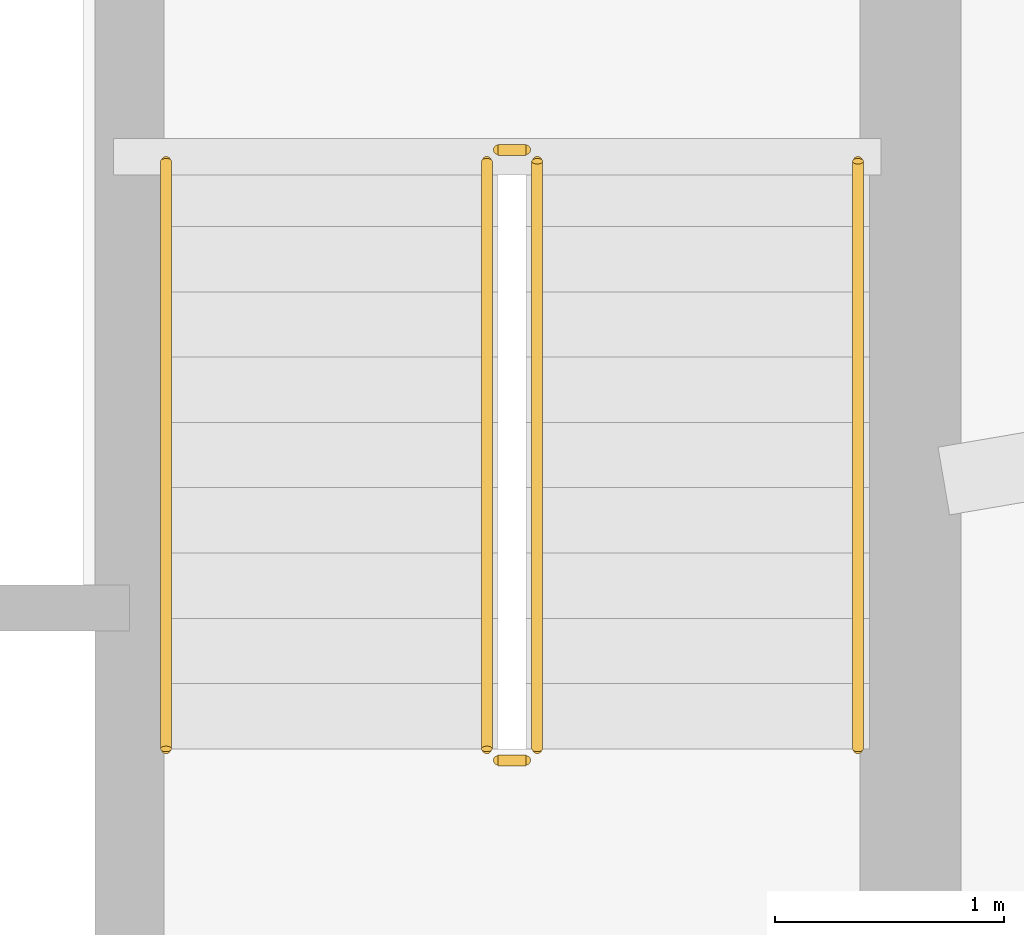
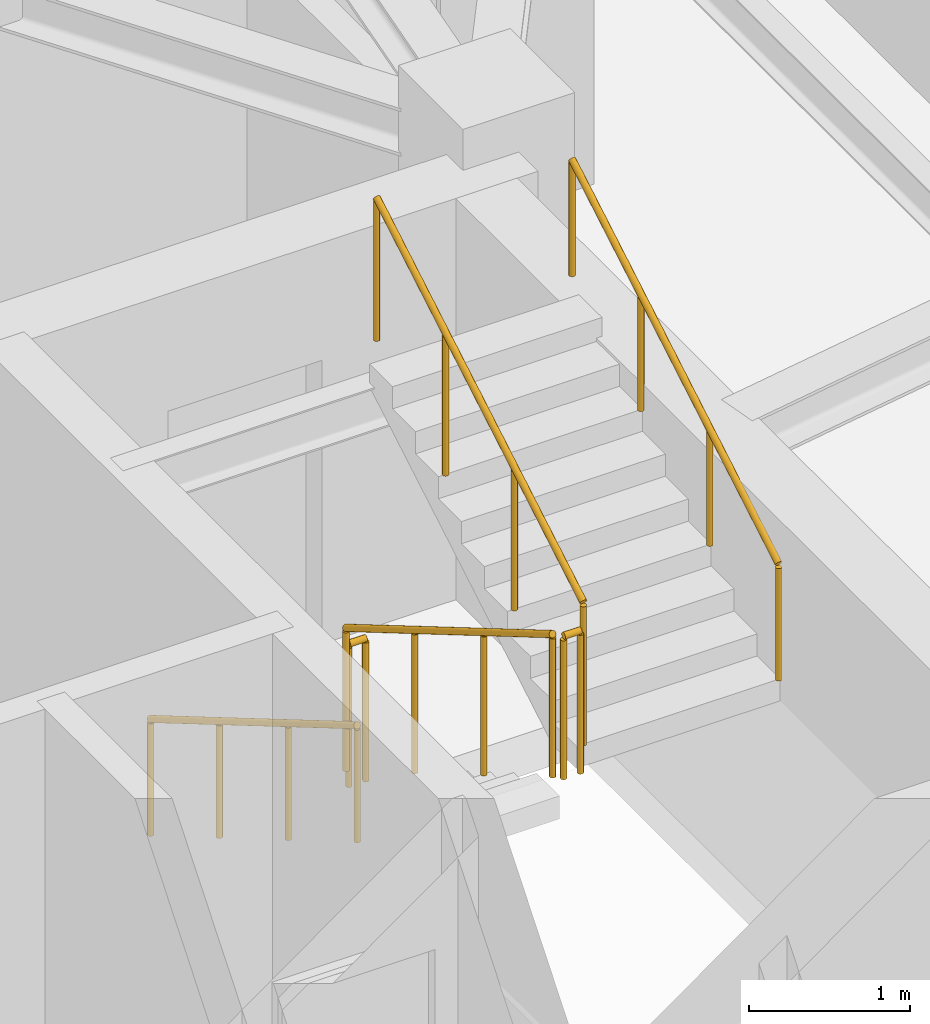
# One storey, part 11 of 11: 6 railings.
"""IFC4 building model written with IfcOpenShell, lengths in metres."""

from ifc_helpers import new_model, si_unit, direction, frame, origin, origin_2d, place, context, subcontext, project, spatial, circle, extrude, material, type_object, element, save


model = new_model("IFC4")

# Units and contexts
model_context = context("Model", 3, precision=1e-05, world=origin(), true_north=direction((0.0, 1.0)))
body_context = subcontext(model_context, "Body", "Model", "MODEL_VIEW")
ifc_project = project(units=[si_unit("LENGTHUNIT", "METRE"), si_unit("AREAUNIT", "SQUARE_METRE"), si_unit("VOLUMEUNIT", "CUBIC_METRE"), si_unit("PLANEANGLEUNIT", "RADIAN"), si_unit("MASSUNIT", "GRAM", prefix="KILO")], contexts=[model_context])

# Site, building, storey
site_placement = place(None, origin())
site = spatial("IfcSite", under=ifc_project, at=site_placement, CompositionType="ELEMENT")
building_placement = place(site_placement, origin())
building = spatial("IfcBuilding", under=site, at=building_placement, Name="Qobustan Lattice House", CompositionType="ELEMENT")
storey_placement = place(building_placement, frame((0.0, 0.0, 255.10009765625)))
storey = spatial("IfcBuildingStorey", under=building, at=storey_placement, Name="L72", CompositionType="ELEMENT", Elevation=255.10009765625)

# Railings
ifc_material_1 = material(Name="Brushed stainless steel handrail", Category="steel")
railing_type_1 = type_object("IfcRailingType", Name="RAL-HR-920", PredefinedType="HANDRAIL", material=ifc_material_1)
railing_1_placement = place(storey_placement, frame((15.179931640625, 3.5, 0.16748046875)))
element("IfcRailing", 1, at=railing_1_placement, inside=storey, type_object=railing_type_1, Name="L72 ST-E1 stair handrail 1", PredefinedType="HANDRAIL", context=body_context, shape_type="SweptSolid", body=[
    extrude(circle(Radius=0.02392578125, at=origin_2d()), frame((0.0, 0.0, 0.8759765625), z_axis=(0.0, -0.862149314443, 0.506654280161), x_axis=(1.0, 0.0, 0.0)), (0.0, 0.0, 1.0), 2.97509765625),
    extrude(circle(Radius=0.02099609375, at=origin_2d()), origin(), (0.0, 0.0, 1.0), 0.851806640625),
    extrude(circle(Radius=0.02099609375, at=origin_2d()), frame((0.0, -0.85498046875, 0.50244140625)), (0.0, 0.0, 1.0), 0.851806640625),
    extrude(circle(Radius=0.02099609375, at=origin_2d()), frame((0.0, -1.7099609375, 1.0048828125)), (0.0, 0.0, 1.0), 0.851806640625),
    extrude(circle(Radius=0.02099609375, at=origin_2d()), frame((0.0, -2.56494140625, 1.50732421875)), (0.0, 0.0, 1.0), 0.851806640625),
])
railing_2_placement = place(storey_placement, frame((18.199951171875, 0.93505859375, 1.84228515625)))
element("IfcRailing", 2, at=railing_2_placement, inside=storey, type_object=railing_type_1, Name="L72 ST-E1 stair handrail 2", PredefinedType="HANDRAIL", context=body_context, shape_type="SweptSolid", body=[
    extrude(circle(Radius=0.02392578125, at=origin_2d()), frame((0.0, 0.0, 0.8759765625), z_axis=(0.0, 0.862113467892, 0.50671527358), x_axis=(-1.0, 0.0, 0.0)), (0.0, 0.0, 1.0), 2.97509765625),
    extrude(circle(Radius=0.02099609375, at=origin_2d()), origin(), (0.0, 0.0, 1.0), 0.851806640625),
    extrude(circle(Radius=0.02099609375, at=origin_2d()), frame((0.0, 0.85498046875, 0.50244140625)), (0.0, 0.0, 1.0), 0.851806640625),
    extrude(circle(Radius=0.02099609375, at=origin_2d()), frame((0.0, 1.7099609375, 1.005126953125)), (0.0, 0.0, 1.0), 0.851806640625),
    extrude(circle(Radius=0.02099609375, at=origin_2d()), frame((0.0, 2.56494140625, 1.507568359375)), (0.0, 0.0, 1.0), 0.851806640625),
])
ifc_material_2 = material(Name="Painted galvanized steel guardrail", Category="steel")
railing_type_2 = type_object("IfcRailingType", Name="RAL-STG-1150", PredefinedType="GUARDRAIL", material=ifc_material_2)
railing_3_placement = place(storey_placement, frame((16.580078125, 3.5, 0.16748046875)))
element("IfcRailing", 3, at=railing_3_placement, inside=storey, type_object=railing_type_2, Name="L72 ST-E1 stair guard 1", PredefinedType="GUARDRAIL", context=body_context, shape_type="SweptSolid", body=[
    extrude(circle(Radius=0.02392578125, at=origin_2d()), frame((0.0, 0.0, 1.076171875), z_axis=(0.0, -0.862149314443, 0.506654280161), x_axis=(1.0, 0.0, 0.0)), (0.0, 0.0, 1.0), 2.97509765625),
    extrude(circle(Radius=0.02099609375, at=origin_2d()), origin(), (0.0, 0.0, 1.0), 1.052001953125),
    extrude(circle(Radius=0.02099609375, at=origin_2d()), frame((0.0, -0.85498046875, 0.50244140625)), (0.0, 0.0, 1.0), 1.052001953125),
    extrude(circle(Radius=0.02099609375, at=origin_2d()), frame((0.0, -1.7099609375, 1.0048828125)), (0.0, 0.0, 1.0), 1.052001953125),
    extrude(circle(Radius=0.02099609375, at=origin_2d()), frame((0.0, -2.56494140625, 1.50732421875)), (0.0, 0.0, 1.0), 1.052001953125),
])
railing_4_placement = place(storey_placement, frame((16.6298828125, 0.885009765625, 1.6748046875)))
element("IfcRailing", 4, at=railing_4_placement, inside=storey, type_object=railing_type_2, Name="L72 ST-E1 stair guard 2", PredefinedType="GUARDRAIL", context=body_context, shape_type="SweptSolid", body=[
    extrude(circle(Radius=0.02392578125, at=origin_2d()), frame((0.0, 0.0, 1.076171875), z_axis=(1.0, 0.0, 0.0), x_axis=(0.0, 1.0, 0.0)), (0.0, 0.0, 1.0), 0.1201171875),
    extrude(circle(Radius=0.02099609375, at=origin_2d()), origin(), (0.0, 0.0, 1.0), 1.052001953125),
    extrude(circle(Radius=0.02099609375, at=origin_2d()), frame((0.1201171875, 0.0, 0.0)), (0.0, 0.0, 1.0), 1.052001953125),
])
railing_5_placement = place(storey_placement, frame((16.800048828125, 0.93505859375, 1.84228515625)))
element("IfcRailing", 5, at=railing_5_placement, inside=storey, type_object=railing_type_2, Name="L72 ST-E1 stair guard 3", PredefinedType="GUARDRAIL", context=body_context, shape_type="SweptSolid", body=[
    extrude(circle(Radius=0.02392578125, at=origin_2d()), frame((0.0, 0.0, 1.076171875), z_axis=(0.0, 0.862113467892, 0.50671527358), x_axis=(-1.0, 0.0, 0.0)), (0.0, 0.0, 1.0), 2.97509765625),
    extrude(circle(Radius=0.02099609375, at=origin_2d()), origin(), (0.0, 0.0, 1.0), 1.052001953125),
    extrude(circle(Radius=0.02099609375, at=origin_2d()), frame((0.0, 0.85498046875, 0.50244140625)), (0.0, 0.0, 1.0), 1.052001953125),
    extrude(circle(Radius=0.02099609375, at=origin_2d()), frame((0.0, 1.7099609375, 1.005126953125)), (0.0, 0.0, 1.0), 1.052001953125),
    extrude(circle(Radius=0.02099609375, at=origin_2d()), frame((0.0, 2.56494140625, 1.507568359375)), (0.0, 0.0, 1.0), 1.052001953125),
])
railing_6_placement = place(storey_placement, frame((16.6298828125, 3.550048828125, 0.0)))
element("IfcRailing", 6, at=railing_6_placement, inside=storey, type_object=railing_type_2, Name="L72 ST-E1 stair guard 4", PredefinedType="GUARDRAIL", context=body_context, shape_type="SweptSolid", body=[
    extrude(circle(Radius=0.02392578125, at=origin_2d()), frame((0.0, 0.0, 1.076171875), z_axis=(1.0, 0.0, 0.0), x_axis=(0.0, 1.0, 0.0)), (0.0, 0.0, 1.0), 0.1201171875),
    extrude(circle(Radius=0.02099609375, at=origin_2d()), origin(), (0.0, 0.0, 1.0), 1.052001953125),
    extrude(circle(Radius=0.02099609375, at=origin_2d()), frame((0.1201171875, 0.0, 0.0)), (0.0, 0.0, 1.0), 1.052001953125),
])

save(model, "model.ifc")
